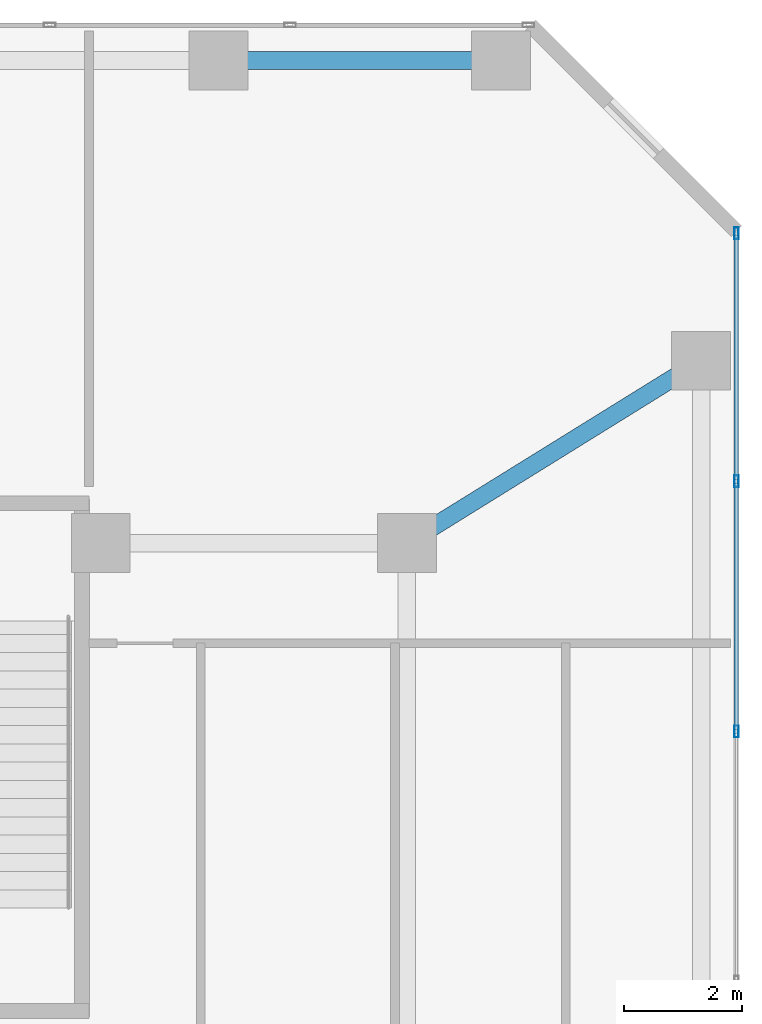
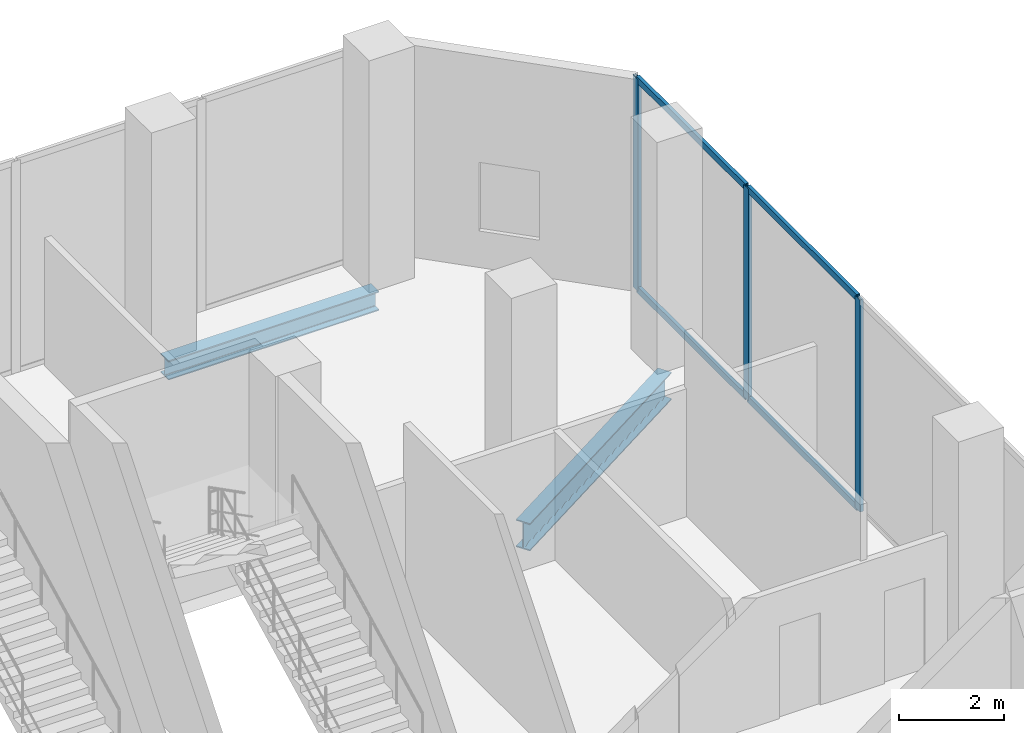
# One storey, part 17 of 24: 7 members, 2 beams, 1 element without a shape of its own.
"""IFC4 building model written with IfcOpenShell, lengths in metres."""

from ifc_helpers import new_model, si_unit, direction, frame, origin, origin_2d, place, context, subcontext, project, spatial, hollow_rectangle, i_section, extrude, material, layer, layer_set, material_profile, profile_set, type_object, element, aggregate, save


model = new_model("IFC4")

# Units and contexts
model_context = context("Model", 3, precision=1e-05, world=origin(), true_north=direction((0.0, 1.0)))
body_context = subcontext(model_context, "Body", "Model", "MODEL_VIEW")
ifc_project = project(units=[si_unit("LENGTHUNIT", "METRE"), si_unit("AREAUNIT", "SQUARE_METRE"), si_unit("VOLUMEUNIT", "CUBIC_METRE"), si_unit("PLANEANGLEUNIT", "RADIAN"), si_unit("MASSUNIT", "GRAM", prefix="KILO")], contexts=[model_context])

# Site, building, storey
site_placement = place(None, origin())
site = spatial("IfcSite", under=ifc_project, at=site_placement, CompositionType="ELEMENT")
building_placement = place(site_placement, origin())
building = spatial("IfcBuilding", under=site, at=building_placement, Name="Catumbela Crestline Tower", CompositionType="ELEMENT")
storey_placement = place(building_placement, frame((0.0, 0.0, 15.9)))
storey = spatial("IfcBuildingStorey", under=building, at=storey_placement, Name="L03", CompositionType="ELEMENT", Elevation=15.9)

# Beam
ifc_material_1 = material(Name="Structural steel S355J2", Category="steel")
ifc_material_profile_1 = material_profile(ifc_material_1, i_section(OverallWidth=0.3, OverallDepth=0.64, WebThickness=0.0135, FlangeThickness=0.026, FilletRadius=0.027, at=origin_2d()), Name="HEA 650")
ifc_profile_set_1 = profile_set([ifc_material_profile_1], Name="Structural steel S355J2")
beam_type_1 = type_object("IfcBeamType", Name="BG-HEA650", PredefinedType="BEAM", material=ifc_profile_set_1)
beam_1_placement = place(storey_placement, frame((50.468, 39.2422, -0.64), z_axis=(0.849908952007, 0.526929571479, 0.0), x_axis=(-0.526929571479, 0.849908952007, 0.0)))
element("IfcBeam", 1, at=beam_1_placement, inside=storey, type_object=beam_type_1, Name="L03 Beam BM-L03-N16", PredefinedType="BEAM", context=body_context, shape_type="SweptSolid", body=[
    extrude(i_section(OverallWidth=0.3, OverallDepth=0.64, WebThickness=0.0135, FlangeThickness=0.026, FilletRadius=0.027, at=origin_2d()), origin(), (0.0, 0.0, 1.0), 5.723),
])

# Curtain wall, members
ifc_material_2 = material(Name="Aluminium alloy AW-6060-T66", Category="aluminium")
ifc_layer = layer(ifc_material_2, 0.18, Name="Aluminium alloy AW-6060-T66")
ifc_layer_set = layer_set([ifc_layer], Name="Aluminium alloy AW-6060-T66")
curtain_wall_type = type_object("IfcCurtainWallType", Name="CWS-POD", PredefinedType="USERDEFINED", material=ifc_layer_set)
curtain_wall_placement = place(storey_placement, origin())
curtain_wall = element("IfcCurtainWall", 2, at=curtain_wall_placement, inside=storey, type_object=curtain_wall_type, Name="L03 Stick Curtain Wall CW-L03-E5S1", ObjectType="STICK", PredefinedType="USERDEFINED")
ifc_material_profile_2 = material_profile(ifc_material_2, hollow_rectangle(XDim=0.075, YDim=0.2, WallThickness=0.005, at=origin_2d()), Name="ALU 200x75x5")
ifc_profile_set_2 = profile_set([ifc_material_profile_2], Name="Aluminium alloy AW-6060-T66")
member_type_1 = type_object("IfcMemberType", Name="MUL-200X75", PredefinedType="MULLION", material=ifc_profile_set_2)
member_1_placement = place(storey_placement, frame((56.0, 36.0, 0.0), z_axis=(0.0, 0.0, 1.0), x_axis=(-1.0, 0.0, 0.0)))
member_1 = element("IfcMember", 3, at=member_1_placement, type_object=member_type_1, Name="CWS-POD mullion 3", PredefinedType="MULLION", context=body_context, shape_type="SweptSolid", body=[
    extrude(hollow_rectangle(XDim=0.075, YDim=0.2, WallThickness=0.005, at=origin_2d()), origin(), (0.0, 0.0, 1.0), 4.94),
])
member_2_placement = place(storey_placement, frame((56.0, 40.25, 0.0), z_axis=(0.0, 0.0, 1.0), x_axis=(-1.0, 0.0, 0.0)))
member_2 = element("IfcMember", 4, at=member_2_placement, type_object=member_type_1, Name="CWS-POD mullion 4", PredefinedType="MULLION", context=body_context, shape_type="SweptSolid", body=[
    extrude(hollow_rectangle(XDim=0.075, YDim=0.2, WallThickness=0.005, at=origin_2d()), origin(), (0.0, 0.0, 1.0), 4.94),
])
member_3_placement = place(storey_placement, frame((56.0, 44.4675, 0.0), z_axis=(0.0, 0.0, 1.0), x_axis=(-1.0, 0.0, 0.0)))
member_3 = element("IfcMember", 5, at=member_3_placement, type_object=member_type_1, Name="CWS-POD mullion 5", PredefinedType="MULLION", context=body_context, shape_type="SweptSolid", body=[
    extrude(hollow_rectangle(XDim=0.075, YDim=0.2, WallThickness=0.005, at=origin_2d()), origin(), (0.0, 0.0, 1.0), 4.94),
])

# Beam
ifc_material_profile_3 = material_profile(ifc_material_1, i_section(OverallWidth=0.3, OverallDepth=0.45, WebThickness=0.014, FlangeThickness=0.026, FilletRadius=0.027, at=origin_2d()), Name="HEB 450")
ifc_profile_set_3 = profile_set([ifc_material_profile_3], Name="Structural steel S355J2")
beam_type_2 = type_object("IfcBeamType", Name="BS-HEB450", PredefinedType="SPANDREL", material=ifc_profile_set_3)
beam_2_placement = place(storey_placement, frame((47.28, 47.4, -0.545), z_axis=(1.0, 0.0, 0.0), x_axis=(0.0, 1.0, 0.0)))
element("IfcBeam", 6, at=beam_2_placement, inside=storey, type_object=beam_type_2, Name="L03 Spandrel SP-L03-NF22", PredefinedType="SPANDREL", context=body_context, shape_type="SweptSolid", body=[
    extrude(i_section(OverallWidth=0.3, OverallDepth=0.45, WebThickness=0.014, FlangeThickness=0.026, FilletRadius=0.027, at=origin_2d()), origin(), (0.0, 0.0, 1.0), 4.64),
])

# Member
ifc_material_profile_4 = material_profile(ifc_material_2, hollow_rectangle(XDim=0.075, YDim=0.15, WallThickness=0.0045, at=origin_2d()), Name="ALU 150x75x4.5")
ifc_profile_set_4 = profile_set([ifc_material_profile_4], Name="Aluminium alloy AW-6060-T66")
member_type_2 = type_object("IfcMemberType", Name="TRN-150X75", PredefinedType="USERDEFINED", material=ifc_profile_set_4)
member_4_placement = place(storey_placement, frame((56.0, 36.0325, 0.03), z_axis=(0.0, 1.0, 0.0), x_axis=(-1.0, 0.0, 0.0)))
member_4 = element("IfcMember", 7, at=member_4_placement, type_object=member_type_2, Name="CWS-POD transom 3.1", ObjectType="TRANSOM", PredefinedType="USERDEFINED", context=body_context, shape_type="SweptSolid", body=[
    extrude(hollow_rectangle(XDim=0.075, YDim=0.15, WallThickness=0.0045, at=origin_2d()), origin(), (0.0, 0.0, 1.0), 4.185),
])

member_5_placement = place(storey_placement, frame((56.0, 36.0325, 4.91), z_axis=(0.0, 1.0, 0.0), x_axis=(-1.0, 0.0, 0.0)))
member_5 = element("IfcMember", 8, at=member_5_placement, type_object=member_type_2, Name="CWS-POD transom 3.2", ObjectType="TRANSOM", PredefinedType="USERDEFINED", context=body_context, shape_type="SweptSolid", body=[
    extrude(hollow_rectangle(XDim=0.075, YDim=0.15, WallThickness=0.0045, at=origin_2d()), origin(), (0.0, 0.0, 1.0), 4.185),
])

member_6_placement = place(storey_placement, frame((56.0, 40.2825, 0.03), z_axis=(0.0, 1.0, 0.0), x_axis=(-1.0, 0.0, 0.0)))
member_6 = element("IfcMember", 9, at=member_6_placement, type_object=member_type_2, Name="CWS-POD transom 4.1", ObjectType="TRANSOM", PredefinedType="USERDEFINED", context=body_context, shape_type="SweptSolid", body=[
    extrude(hollow_rectangle(XDim=0.075, YDim=0.15, WallThickness=0.0045, at=origin_2d()), origin(), (0.0, 0.0, 1.0), 4.1525),
])

member_7_placement = place(storey_placement, frame((56.0, 40.2825, 4.91), z_axis=(0.0, 1.0, 0.0), x_axis=(-1.0, 0.0, 0.0)))
member_7 = element("IfcMember", 10, at=member_7_placement, type_object=member_type_2, Name="CWS-POD transom 4.2", ObjectType="TRANSOM", PredefinedType="USERDEFINED", context=body_context, shape_type="SweptSolid", body=[
    extrude(hollow_rectangle(XDim=0.075, YDim=0.15, WallThickness=0.0045, at=origin_2d()), origin(), (0.0, 0.0, 1.0), 4.1525),
])

aggregate(curtain_wall, [member_1, member_2, member_3, member_4, member_5, member_6, member_7])

save(model, "model.ifc")
